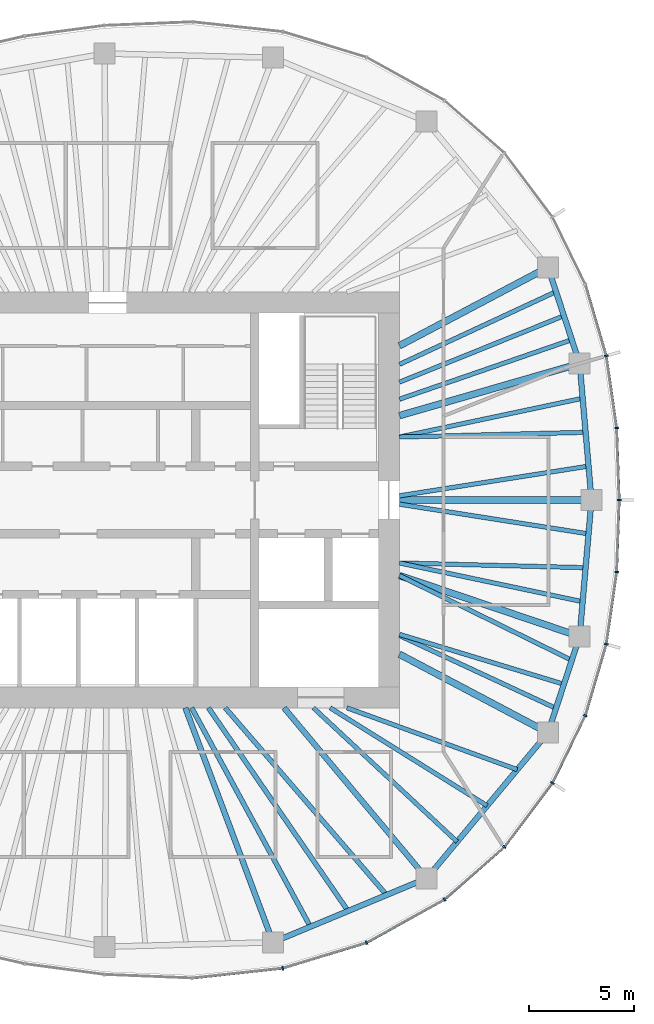
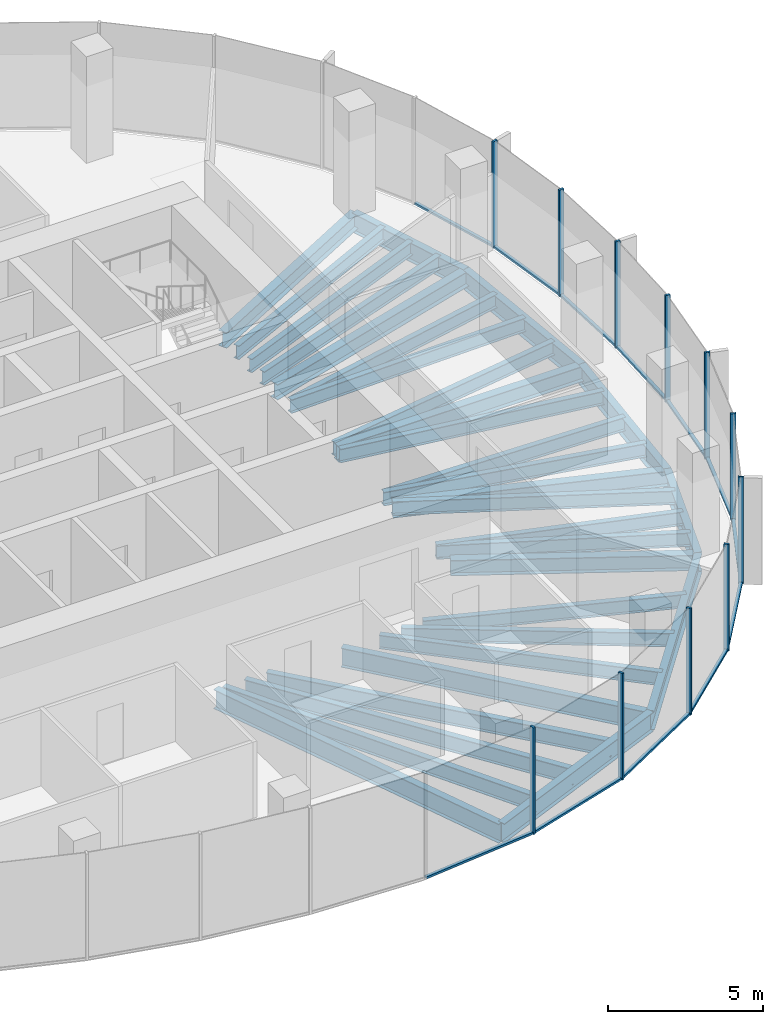
# One storey, part 4 of 11: 31 beams, 23 members, 7 elements without a shape of their own.
"""IFC4 building model written with IfcOpenShell, lengths in metres."""

from ifc_helpers import new_model, si_unit, direction, frame, origin, origin_2d, place, context, subcontext, project, spatial, rectangle, i_section, extrude, material, material_profile, profile_set, type_object, element, aggregate, save


model = new_model("IFC4")

# Units and contexts
model_context = context("Model", 3, precision=1e-05, world=origin(), true_north=direction((0.0, 1.0)))
body_context = subcontext(model_context, "Body", "Model", "MODEL_VIEW")
ifc_project = project(units=[si_unit("LENGTHUNIT", "METRE"), si_unit("AREAUNIT", "SQUARE_METRE"), si_unit("VOLUMEUNIT", "CUBIC_METRE"), si_unit("PLANEANGLEUNIT", "RADIAN"), si_unit("MASSUNIT", "GRAM", prefix="KILO")], contexts=[model_context])

# Site, building, storey
site_placement = place(None, origin())
site = spatial("IfcSite", under=ifc_project, at=site_placement, CompositionType="ELEMENT")
building_placement = place(site_placement, origin())
building = spatial("IfcBuilding", under=site, at=building_placement, Name="Ghaith Harvest Tower", CompositionType="ELEMENT")
storey_placement = place(building_placement, frame((0.0, 0.0, 325.800048828125)))
storey = spatial("IfcBuildingStorey", under=building, at=storey_placement, Name="L73", CompositionType="ELEMENT", Elevation=325.800048828125)

# Curtain wall, members
ifc_material_1 = material(Name="Black anodised aluminium and fritted glass", Category="aluminium")
curtain_wall_type = type_object("IfcCurtainWallType", Name="CW-T CURTAIN WALL", PredefinedType="NOTDEFINED", material=ifc_material_1)
curtain_wall_1_placement = place(storey_placement, origin())
curtain_wall_1 = element("IfcCurtainWall", 1, at=curtain_wall_1_placement, inside=storey, type_object=curtain_wall_type, Name="Curtain wall CW-T bay 01 L73", PredefinedType="NOTDEFINED")
ifc_material_2 = material(Name="Aluminium, black anodised", Category="aluminium")
ifc_material_profile_1 = material_profile(ifc_material_2, rectangle(XDim=0.080078125, YDim=0.179931640625, at=origin_2d()), Name="CW-T MULLION 80x180")
ifc_profile_set_1 = profile_set([ifc_material_profile_1], Name="Aluminium, black anodised")
member_type_1 = type_object("IfcMemberType", Name="CW-T MULLION 80x180", PredefinedType="MULLION", material=ifc_profile_set_1)
member_1_placement = place(storey_placement, frame((24.3701171875, 0.0, 0.0), z_axis=(0.0, 0.0, 1.0), x_axis=(5.2e-11, 1.0, 0.0)))
member_1 = element("IfcMember", 2, at=member_1_placement, type_object=member_type_1, Name="CW-T mullion 1 bay 01 L73", PredefinedType="MULLION", context=body_context, shape_type="SweptSolid", body=[
    extrude(rectangle(XDim=0.080078125, YDim=0.179931640625, at=origin_2d()), origin(), (0.0, 0.0, 1.0), 4.199951171875),
])
member_2_placement = place(storey_placement, frame((24.247802734375, 3.433837890625, 0.0), z_axis=(0.0, 0.0, 1.0), x_axis=(-0.089502202236, 0.995986624305, 0.0)))
member_2 = element("IfcMember", 3, at=member_2_placement, type_object=member_type_1, Name="CW-T mullion 2 bay 01 L73", PredefinedType="MULLION", context=body_context, shape_type="SweptSolid", body=[
    extrude(rectangle(XDim=0.080078125, YDim=0.179931640625, at=origin_2d()), origin(), (0.0, 0.0, 1.0), 4.199951171875),
])

# Curtain wall, member
curtain_wall_2_placement = place(storey_placement, origin())
curtain_wall_2 = element("IfcCurtainWall", 4, at=curtain_wall_2_placement, inside=storey, type_object=curtain_wall_type, Name="Curtain wall CW-T bay 02 L73", PredefinedType="NOTDEFINED")
member_3_placement = place(storey_placement, frame((23.753173828125, 6.865234375, 0.0), z_axis=(0.0, 0.0, 1.0), x_axis=(-0.21340203233, 0.976964468442, 0.0)))
member_3 = element("IfcMember", 5, at=member_3_placement, type_object=member_type_1, Name="CW-T mullion 1 bay 02 L73", PredefinedType="MULLION", context=body_context, shape_type="SweptSolid", body=[
    extrude(rectangle(XDim=0.080078125, YDim=0.179931640625, at=origin_2d()), origin(), (0.0, 0.0, 1.0), 4.199951171875),
])

# Curtain wall, members
curtain_wall_3_placement = place(storey_placement, origin())
curtain_wall_3 = element("IfcCurtainWall", 6, at=curtain_wall_3_placement, inside=storey, type_object=curtain_wall_type, Name="Curtain wall CW-T bay 17 L73", PredefinedType="NOTDEFINED")
member_4_placement = place(storey_placement, frame((8.33984375, -22.308837890625, 0.0), z_axis=(0.0, 0.0, 1.0), x_axis=(0.980000193265, 0.198996535647, 0.0)))
member_4 = element("IfcMember", 7, at=member_4_placement, type_object=member_type_1, Name="CW-T mullion 1 bay 17 L73", PredefinedType="MULLION", context=body_context, shape_type="SweptSolid", body=[
    extrude(rectangle(XDim=0.080078125, YDim=0.179931640625, at=origin_2d()), origin(), (0.0, 0.0, 1.0), 4.199951171875),
])
member_5_placement = place(storey_placement, frame((12.334228515625, -21.091796875, 0.0), z_axis=(0.0, 0.0, 1.0), x_axis=(0.920319269335, 0.391168048914, 0.0)))
member_5 = element("IfcMember", 8, at=member_5_placement, type_object=member_type_1, Name="CW-T mullion 2 bay 17 L73", PredefinedType="MULLION", context=body_context, shape_type="SweptSolid", body=[
    extrude(rectangle(XDim=0.080078125, YDim=0.179931640625, at=origin_2d()), origin(), (0.0, 0.0, 1.0), 4.199951171875),
])

curtain_wall_4_placement = place(storey_placement, origin())
curtain_wall_4 = element("IfcCurtainWall", 9, at=curtain_wall_4_placement, inside=storey, type_object=curtain_wall_type, Name="Curtain wall CW-T bay 18 L73", PredefinedType="NOTDEFINED")
member_6_placement = place(storey_placement, frame((16.04931640625, -19.031982421875, 0.0), z_axis=(0.0, 0.0, 1.0), x_axis=(0.821112053644, 0.570767023715, 0.0)))
member_6 = element("IfcMember", 10, at=member_6_placement, type_object=member_type_1, Name="CW-T mullion 1 bay 18 L73", PredefinedType="MULLION", context=body_context, shape_type="SweptSolid", body=[
    extrude(rectangle(XDim=0.080078125, YDim=0.179931640625, at=origin_2d()), origin(), (0.0, 0.0, 1.0), 4.199951171875),
])
member_7_placement = place(storey_placement, frame((18.901123046875, -16.527099609375, 0.0), z_axis=(0.0, 0.0, 1.0), x_axis=(0.679660897254, 0.733526458108, 0.0)))
member_7 = element("IfcMember", 11, at=member_7_placement, type_object=member_type_1, Name="CW-T mullion 2 bay 18 L73", PredefinedType="MULLION", context=body_context, shape_type="SweptSolid", body=[
    extrude(rectangle(XDim=0.080078125, YDim=0.179931640625, at=origin_2d()), origin(), (0.0, 0.0, 1.0), 4.199951171875),
])

curtain_wall_5_placement = place(storey_placement, origin())
curtain_wall_5 = element("IfcCurtainWall", 12, at=curtain_wall_5_placement, inside=storey, type_object=curtain_wall_type, Name="Curtain wall CW-T bay 19 L73", PredefinedType="NOTDEFINED")
member_8_placement = place(storey_placement, frame((21.18896484375, -13.48486328125, 0.0), z_axis=(0.0, 0.0, 1.0), x_axis=(0.524482238715, 0.85142138878, 0.0)))
member_8 = element("IfcMember", 13, at=member_8_placement, type_object=member_type_1, Name="CW-T mullion 1 bay 19 L73", PredefinedType="MULLION", context=body_context, shape_type="SweptSolid", body=[
    extrude(rectangle(XDim=0.080078125, YDim=0.179931640625, at=origin_2d()), origin(), (0.0, 0.0, 1.0), 4.199951171875),
])
member_9_placement = place(storey_placement, frame((22.754150390625, -10.272216796875, 0.0), z_axis=(0.0, 0.0, 1.0), x_axis=(0.361184273904, 0.932494461262, 0.0)))
member_9 = element("IfcMember", 14, at=member_9_placement, type_object=member_type_1, Name="CW-T mullion 2 bay 19 L73", PredefinedType="MULLION", context=body_context, shape_type="SweptSolid", body=[
    extrude(rectangle(XDim=0.080078125, YDim=0.179931640625, at=origin_2d()), origin(), (0.0, 0.0, 1.0), 4.199951171875),
])

curtain_wall_6_placement = place(storey_placement, origin())
curtain_wall_6 = element("IfcCurtainWall", 15, at=curtain_wall_6_placement, inside=storey, type_object=curtain_wall_type, Name="Curtain wall CW-T bay 20 L73", PredefinedType="NOTDEFINED")
member_10_placement = place(storey_placement, frame((23.753173828125, -6.865234375, 0.0), z_axis=(0.0, 0.0, 1.0), x_axis=(0.213402032501, 0.976964468404, 0.0)))
member_10 = element("IfcMember", 16, at=member_10_placement, type_object=member_type_1, Name="CW-T mullion 1 bay 20 L73", PredefinedType="MULLION", context=body_context, shape_type="SweptSolid", body=[
    extrude(rectangle(XDim=0.080078125, YDim=0.179931640625, at=origin_2d()), origin(), (0.0, 0.0, 1.0), 4.199951171875),
])
member_11_placement = place(storey_placement, frame((24.247802734375, -3.433837890625, 0.0), z_axis=(0.0, 0.0, 1.0), x_axis=(0.089502202305, 0.995986624299, 0.0)))
member_11 = element("IfcMember", 17, at=member_11_placement, type_object=member_type_1, Name="CW-T mullion 2 bay 20 L73", PredefinedType="MULLION", context=body_context, shape_type="SweptSolid", body=[
    extrude(rectangle(XDim=0.080078125, YDim=0.179931640625, at=origin_2d()), origin(), (0.0, 0.0, 1.0), 4.199951171875),
])

# Member
ifc_material_3 = material(Name="Aluminium, black anodised", Category="aluminium")
ifc_material_profile_2 = material_profile(ifc_material_3, rectangle(XDim=0.1201171875, YDim=0.080078125, at=origin_2d()), Name="CW-T TRANSOM 120x80")
ifc_profile_set_2 = profile_set([ifc_material_profile_2], Name="Aluminium, black anodised")
member_type_2 = type_object("IfcMemberType", Name="CW-T TRANSOM 120x80", PredefinedType="USERDEFINED", material=ifc_profile_set_2)
member_12_placement = place(storey_placement, frame((24.36865234375, 0.0400390625, 0.0400390625), z_axis=(-0.035574759537, 0.999367017909, 0.0), x_axis=(-0.999367017909, -0.035574759537, 0.0)))
member_12 = element("IfcMember", 18, at=member_12_placement, type_object=member_type_2, Name="CW-T transom 1 bay 01 L73", ObjectType="TRANSOM", PredefinedType="USERDEFINED", context=body_context, shape_type="SweptSolid", body=[
    extrude(rectangle(XDim=0.1201171875, YDim=0.080078125, at=origin_2d()), origin(), (0.0, 0.0, 1.0), 3.35595703125),
])

member_13_placement = place(storey_placement, frame((24.2421875, 3.473388671875, 0.0400390625), z_axis=(-0.142733224301, 0.989761196795, 0.0), x_axis=(-0.989761196795, -0.142733224301, 0.0)))
member_13 = element("IfcMember", 19, at=member_13_placement, type_object=member_type_2, Name="CW-T transom 2 bay 01 L73", ObjectType="TRANSOM", PredefinedType="USERDEFINED", context=body_context, shape_type="SweptSolid", body=[
    extrude(rectangle(XDim=0.1201171875, YDim=0.080078125, at=origin_2d()), origin(), (0.0, 0.0, 1.0), 3.38671875),
])

aggregate(curtain_wall_1, [member_1, member_12, member_2, member_13])

member_14_placement = place(storey_placement, frame((23.741943359375, 6.903564453125, 0.0400390625), z_axis=(-0.281385475469, 0.95959481772, 0.0), x_axis=(-0.95959481772, -0.281385475469, 0.0)))
member_14 = element("IfcMember", 20, at=member_14_placement, type_object=member_type_2, Name="CW-T transom 1 bay 02 L73", ObjectType="TRANSOM", PredefinedType="USERDEFINED", context=body_context, shape_type="SweptSolid", body=[
    extrude(rectangle(XDim=0.1201171875, YDim=0.080078125, at=origin_2d()), origin(), (0.0, 0.0, 1.0), 3.470458984375),
])

aggregate(curtain_wall_2, [member_3, member_14])

# Curtain wall, member
curtain_wall_7_placement = place(storey_placement, origin())
curtain_wall_7 = element("IfcCurtainWall", 21, at=curtain_wall_7_placement, inside=storey, type_object=curtain_wall_type, Name="Curtain wall CW-T bay 16 L73", PredefinedType="NOTDEFINED")
member_15_placement = place(storey_placement, frame((4.077392578125, -22.772216796875, 0.0400390625), z_axis=(0.994144463069, 0.108059180768, 0.0), x_axis=(-0.108059180768, 0.994144463069, 0.0)))
member_15 = element("IfcMember", 22, at=member_15_placement, type_object=member_type_2, Name="CW-T transom 2 bay 16 L73", ObjectType="TRANSOM", PredefinedType="USERDEFINED", context=body_context, shape_type="SweptSolid", body=[
    extrude(rectangle(XDim=0.1201171875, YDim=0.080078125, at=origin_2d()), origin(), (0.0, 0.0, 1.0), 4.24755859375),
])
aggregate(curtain_wall_7, [member_15])

# Member
member_16_placement = place(storey_placement, frame((8.378173828125, -22.297119140625, 0.0400390625), z_axis=(0.956593713342, 0.291424891858, 0.0), x_axis=(-0.291424891858, 0.956593713342, 0.0)))
member_16 = element("IfcMember", 23, at=member_16_placement, type_object=member_type_2, Name="CW-T transom 1 bay 17 L73", ObjectType="TRANSOM", PredefinedType="USERDEFINED", context=body_context, shape_type="SweptSolid", body=[
    extrude(rectangle(XDim=0.1201171875, YDim=0.080078125, at=origin_2d()), origin(), (0.0, 0.0, 1.0), 4.095703125),
])

member_17_placement = place(storey_placement, frame((12.369384765625, -21.072509765625, 0.0400390625), z_axis=(0.874552130553, 0.484931511603, 0.0), x_axis=(-0.484931511603, 0.874552130553, 0.0)))
member_17 = element("IfcMember", 24, at=member_17_placement, type_object=member_type_2, Name="CW-T transom 2 bay 17 L73", ObjectType="TRANSOM", PredefinedType="USERDEFINED", context=body_context, shape_type="SweptSolid", body=[
    extrude(rectangle(XDim=0.1201171875, YDim=0.080078125, at=origin_2d()), origin(), (0.0, 0.0, 1.0), 4.16748046875),
])

aggregate(curtain_wall_3, [member_4, member_16, member_5, member_17])

member_18_placement = place(storey_placement, frame((16.079345703125, -19.005615234375, 0.0400390625), z_axis=(0.751325799984, 0.659931467865, 0.0), x_axis=(-0.659931467865, 0.751325799984, 0.0)))
member_18 = element("IfcMember", 25, at=member_18_placement, type_object=member_type_2, Name="CW-T transom 1 bay 18 L73", ObjectType="TRANSOM", PredefinedType="USERDEFINED", context=body_context, shape_type="SweptSolid", body=[
    extrude(rectangle(XDim=0.1201171875, YDim=0.080078125, at=origin_2d()), origin(), (0.0, 0.0, 1.0), 3.7158203125),
])

member_19_placement = place(storey_placement, frame((18.925048828125, -16.4951171875, 0.0400390625), z_axis=(0.601079103045, 0.799189534392, 0.0), x_axis=(-0.799189534392, 0.601079103045, 0.0)))
member_19 = element("IfcMember", 26, at=member_19_placement, type_object=member_type_2, Name="CW-T transom 2 bay 18 L73", ObjectType="TRANSOM", PredefinedType="USERDEFINED", context=body_context, shape_type="SweptSolid", body=[
    extrude(rectangle(XDim=0.1201171875, YDim=0.080078125, at=origin_2d()), origin(), (0.0, 0.0, 1.0), 3.7265625),
])

aggregate(curtain_wall_4, [member_6, member_18, member_7, member_19])

member_20_placement = place(storey_placement, frame((21.20654296875, -13.448974609375, 0.0400390625), z_axis=(0.437965078712, 0.898991985408, 0.0), x_axis=(-0.898991985408, 0.437965078712, 0.0)))
member_20 = element("IfcMember", 27, at=member_20_placement, type_object=member_type_2, Name="CW-T transom 1 bay 19 L73", ObjectType="TRANSOM", PredefinedType="USERDEFINED", context=body_context, shape_type="SweptSolid", body=[
    extrude(rectangle(XDim=0.1201171875, YDim=0.080078125, at=origin_2d()), origin(), (0.0, 0.0, 1.0), 3.493408203125),
])

member_21_placement = place(storey_placement, frame((22.765380859375, -10.23388671875, 0.0400390625), z_axis=(0.281385475469, 0.95959481772, 0.0), x_axis=(-0.95959481772, 0.281385475469, 0.0)))
member_21 = element("IfcMember", 28, at=member_21_placement, type_object=member_type_2, Name="CW-T transom 2 bay 19 L73", ObjectType="TRANSOM", PredefinedType="USERDEFINED", context=body_context, shape_type="SweptSolid", body=[
    extrude(rectangle(XDim=0.1201171875, YDim=0.080078125, at=origin_2d()), origin(), (0.0, 0.0, 1.0), 3.470458984375),
])

aggregate(curtain_wall_5, [member_8, member_20, member_9, member_21])

member_22_placement = place(storey_placement, frame((23.7587890625, -6.825439453125, 0.0400390625), z_axis=(0.142733224301, 0.989761196795, 0.0), x_axis=(-0.989761196795, 0.142733224301, 0.0)))
member_22 = element("IfcMember", 29, at=member_22_placement, type_object=member_type_2, Name="CW-T transom 1 bay 20 L73", ObjectType="TRANSOM", PredefinedType="USERDEFINED", context=body_context, shape_type="SweptSolid", body=[
    extrude(rectangle(XDim=0.1201171875, YDim=0.080078125, at=origin_2d()), origin(), (0.0, 0.0, 1.0), 3.38671875),
])

member_23_placement = place(storey_placement, frame((24.249267578125, -3.393798828125, 0.0400390625), z_axis=(0.035574759537, 0.999367017909, 0.0), x_axis=(-0.999367017909, 0.035574759537, 0.0)))
member_23 = element("IfcMember", 30, at=member_23_placement, type_object=member_type_2, Name="CW-T transom 2 bay 20 L73", ObjectType="TRANSOM", PredefinedType="USERDEFINED", context=body_context, shape_type="SweptSolid", body=[
    extrude(rectangle(XDim=0.1201171875, YDim=0.080078125, at=origin_2d()), origin(), (0.0, 0.0, 1.0), 3.35595703125),
])

aggregate(curtain_wall_6, [member_10, member_22, member_11, member_23])

# Beams
ifc_material_4 = material(Name="Steel ASTM A992 Grade 50", Category="steel")
ifc_material_profile_3 = material_profile(ifc_material_4, i_section(OverallWidth=0.26611328125, OverallDepth=0.758056640625, WebThickness=0.013916015625, FlangeThickness=0.019287109375, at=origin_2d()), Name="W760X161")
ifc_profile_set_3 = profile_set([ifc_material_profile_3], Name="Steel ASTM A992 Grade 50")
beam_type_1 = type_object("IfcBeamType", Name="E760-161 W760X161", PredefinedType="SPANDREL", material=ifc_profile_set_3)
beam_1_placement = place(storey_placement, frame((23.050048828125, 0.0, -0.549072265625), z_axis=(-0.086600547306, 0.996243115513, 0.0), x_axis=(-0.996243115513, -0.086600547306, 0.0)))
element("IfcBeam", 31, at=beam_1_placement, inside=storey, type_object=beam_type_1, Name="Edge beam E01 L73", PredefinedType="SPANDREL", context=body_context, shape_type="SweptSolid", body=[
    extrude(i_section(OverallWidth=0.26611328125, OverallDepth=0.758056640625, WebThickness=0.013916015625, FlangeThickness=0.019287109375, at=origin_2d()), origin(), (0.0, 0.0, 1.0), 6.5234375),
])
beam_2_placement = place(storey_placement, frame((22.485107421875, 6.4990234375, -0.549072265625), z_axis=(-0.312206727278, 0.950014189074, 0.0), x_axis=(-0.950014189074, -0.312206727278, 0.0)))
element("IfcBeam", 32, at=beam_2_placement, inside=storey, type_object=beam_type_1, Name="Edge beam E02 L73", PredefinedType="SPANDREL", context=body_context, shape_type="SweptSolid", body=[
    extrude(i_section(OverallWidth=0.26611328125, OverallDepth=0.758056640625, WebThickness=0.013916015625, FlangeThickness=0.019287109375, at=origin_2d()), origin(), (0.0, 0.0, 1.0), 4.830322265625),
])
beam_3_placement = place(storey_placement, frame((7.8779296875, -21.072021484375, -0.549072265625), z_axis=(0.923119729219, 0.384512633766, 0.0), x_axis=(-0.384512633766, 0.923119729219, 0.0)))
element("IfcBeam", 33, at=beam_3_placement, inside=storey, type_object=beam_type_1, Name="Edge beam E17 L73", PredefinedType="SPANDREL", context=body_context, shape_type="SweptSolid", body=[
    extrude(i_section(OverallWidth=0.26611328125, OverallDepth=0.758056640625, WebThickness=0.013916015625, FlangeThickness=0.019287109375, at=origin_2d()), origin(), (0.0, 0.0, 1.0), 7.9296875),
])
beam_4_placement = place(storey_placement, frame((15.197998046875, -18.02294921875, -0.549072265625), z_axis=(0.640173759088, 0.76823014662, 0.0), x_axis=(-0.76823014662, 0.640173759088, 0.0)))
element("IfcBeam", 34, at=beam_4_placement, inside=storey, type_object=beam_type_1, Name="Edge beam E18 L73", PredefinedType="SPANDREL", context=body_context, shape_type="SweptSolid", body=[
    extrude(i_section(OverallWidth=0.26611328125, OverallDepth=0.758056640625, WebThickness=0.013916015625, FlangeThickness=0.019287109375, at=origin_2d()), origin(), (0.0, 0.0, 1.0), 9.02734375),
])
beam_5_placement = place(storey_placement, frame((20.97705078125, -11.087890625, -0.549072265625), z_axis=(0.312206727278, 0.950014189074, 0.0), x_axis=(-0.950014189074, 0.312206727278, 0.0)))
element("IfcBeam", 35, at=beam_5_placement, inside=storey, type_object=beam_type_1, Name="Edge beam E19 L73", PredefinedType="SPANDREL", context=body_context, shape_type="SweptSolid", body=[
    extrude(i_section(OverallWidth=0.26611328125, OverallDepth=0.758056640625, WebThickness=0.013916015625, FlangeThickness=0.019287109375, at=origin_2d()), origin(), (0.0, 0.0, 1.0), 4.830322265625),
])
beam_6_placement = place(storey_placement, frame((22.485107421875, -6.4990234375, -0.549072265625), z_axis=(0.086600547306, 0.996243115513, 0.0), x_axis=(-0.996243115513, 0.086600547306, 0.0)))
element("IfcBeam", 36, at=beam_6_placement, inside=storey, type_object=beam_type_1, Name="Edge beam E20 L73", PredefinedType="SPANDREL", context=body_context, shape_type="SweptSolid", body=[
    extrude(i_section(OverallWidth=0.26611328125, OverallDepth=0.758056640625, WebThickness=0.013916015625, FlangeThickness=0.019287109375, at=origin_2d()), origin(), (0.0, 0.0, 1.0), 6.5234375),
])
ifc_material_5 = material(Name="Steel ASTM A992 Grade 50", Category="steel")
ifc_material_profile_4 = material_profile(ifc_material_5, i_section(OverallWidth=0.323974609375, OverallDepth=0.611083984375, WebThickness=0.0126953125, FlangeThickness=0.01904296875, at=origin_2d()), Name="W610X155")
ifc_profile_set_4 = profile_set([ifc_material_profile_4], Name="Steel ASTM A992 Grade 50")
beam_type_2 = type_object("IfcBeamType", Name="G610-155 W610X155", PredefinedType="BEAM", material=ifc_profile_set_4)
beam_7_placement = place(storey_placement, frame((13.89990234375, 0.0, -0.4755859375), z_axis=(1.0, 0.0, 0.0), x_axis=(0.0, 1.0, 0.0)))
element("IfcBeam", 37, at=beam_7_placement, inside=storey, type_object=beam_type_2, Name="Radial girder G01 L73", PredefinedType="BEAM", context=body_context, shape_type="SweptSolid", body=[
    extrude(i_section(OverallWidth=0.323974609375, OverallDepth=0.611083984375, WebThickness=0.0126953125, FlangeThickness=0.01904296875, at=origin_2d()), origin(), (0.0, 0.0, 1.0), 9.150146484375),
])
beam_8_placement = place(storey_placement, frame((13.89990234375, 4.017333984375, -0.4755859375), z_axis=(0.960668846071, 0.27769653975, 0.0), x_axis=(-0.27769653975, 0.960668846071, 0.0)))
element("IfcBeam", 38, at=beam_8_placement, inside=storey, type_object=beam_type_2, Name="Radial girder G02 L73", PredefinedType="BEAM", context=body_context, shape_type="SweptSolid", body=[
    extrude(i_section(OverallWidth=0.323974609375, OverallDepth=0.611083984375, WebThickness=0.0126953125, FlangeThickness=0.01904296875, at=origin_2d()), origin(), (0.0, 0.0, 1.0), 8.936767578125),
])
for number, where, z_axis, x_axis, name in (
    (39, (13.89990234375, 7.34716796875, -0.4755859375), (0.884097820364, 0.467301876764, 0.0), (-0.467301876764, 0.884097820364, 0.0), "Radial girder G03 L73"),
    (40, (13.89990234375, -7.34716796875, -0.4755859375), (0.884097820364, -0.467301876764, 0.0), (0.467301876764, 0.884097820364, 0.0), "Radial girder G19 L73"),
):
    element("IfcBeam", number, at=place(storey_placement, frame(where, z_axis=z_axis, x_axis=x_axis)), inside=storey, type_object=beam_type_2, Name=name, PredefinedType="BEAM", context=body_context, shape_type="SweptSolid", body=[
        extrude(i_section(OverallWidth=0.323974609375, OverallDepth=0.611083984375, WebThickness=0.0126953125, FlangeThickness=0.01904296875, at=origin_2d()), origin(), (0.0, 0.0, 1.0), 8.0048828125),
    ])
beam_9_placement = place(storey_placement, frame((13.89990234375, -3.60009765625, -0.4755859375), z_axis=(0.947444819082, -0.319919231673, 0.0), x_axis=(0.319919231673, 0.947444819082, 0.0)))
element("IfcBeam", 41, at=beam_9_placement, inside=storey, type_object=beam_type_2, Name="Radial girder G20 L73", PredefinedType="BEAM", context=body_context, shape_type="SweptSolid", body=[
    extrude(i_section(OverallWidth=0.323974609375, OverallDepth=0.611083984375, WebThickness=0.0126953125, FlangeThickness=0.01904296875, at=origin_2d()), origin(), (0.0, 0.0, 1.0), 9.0615234375),
])
ifc_material_6 = material(Name="Steel ASTM A992 Grade 50", Category="steel")
ifc_material_profile_5 = material_profile(ifc_material_6, i_section(OverallWidth=0.26611328125, OverallDepth=0.758056640625, WebThickness=0.013916015625, FlangeThickness=0.019287109375, at=origin_2d()), Name="W760X161")
ifc_profile_set_5 = profile_set([ifc_material_profile_5], Name="Steel ASTM A992 Grade 50")
beam_type_3 = type_object("IfcBeamType", Name="G760-161 W760X161", PredefinedType="BEAM", material=ifc_profile_set_5)
beam_10_placement = place(storey_placement, frame((3.700927734375, -9.89990234375, -0.549072265625), z_axis=(0.350201332531, -0.936674450753, 0.0), x_axis=(0.936674450753, 0.350201332531, 0.0)))
element("IfcBeam", 42, at=beam_10_placement, inside=storey, type_object=beam_type_3, Name="Radial girder G17 L73", PredefinedType="BEAM", context=body_context, shape_type="SweptSolid", body=[
    extrude(i_section(OverallWidth=0.26611328125, OverallDepth=0.758056640625, WebThickness=0.013916015625, FlangeThickness=0.019287109375, at=origin_2d()), origin(), (0.0, 0.0, 1.0), 11.927490234375),
])
beam_11_placement = place(storey_placement, frame((8.39990234375, -9.89990234375, -0.549072265625), z_axis=(0.641792628883, -0.766878231215, 0.0), x_axis=(0.766878231215, 0.641792628883, 0.0)))
element("IfcBeam", 43, at=beam_11_placement, inside=storey, type_object=beam_type_3, Name="Radial girder G18 L73", PredefinedType="BEAM", context=body_context, shape_type="SweptSolid", body=[
    extrude(i_section(OverallWidth=0.26611328125, OverallDepth=0.758056640625, WebThickness=0.013916015625, FlangeThickness=0.019287109375, at=origin_2d()), origin(), (0.0, 0.0, 1.0), 10.59228515625),
])
ifc_material_7 = material(Name="Steel ASTM A992 Grade 50", Category="steel")
ifc_material_profile_6 = material_profile(ifc_material_7, i_section(OverallWidth=0.2109375, OverallDepth=0.5390625, WebThickness=0.01171875, FlangeThickness=0.018798828125, at=origin_2d()), Name="W530X109")
ifc_profile_set_6 = profile_set([ifc_material_profile_6], Name="Steel ASTM A992 Grade 50")
beam_type_4 = type_object("IfcBeamType", Name="J530-109 W530X109", PredefinedType="JOIST", material=ifc_profile_set_6)
beam_12_placement = place(storey_placement, frame((13.89990234375, 0.199951171875, -0.439453125), z_axis=(0.987906665526, 0.155049734628, 0.0), x_axis=(-0.155049734628, 0.987906665526, 0.0)))
element("IfcBeam", 44, at=beam_12_placement, inside=storey, type_object=beam_type_4, Name="Joist J01.1 L73", PredefinedType="JOIST", context=body_context, shape_type="SweptSolid", body=[
    extrude(i_section(OverallWidth=0.2109375, OverallDepth=0.5390625, WebThickness=0.01171875, FlangeThickness=0.018798828125, at=origin_2d()), origin(), (0.0, 0.0, 1.0), 9.1201171875),
])
beam_13_placement = place(storey_placement, frame((13.89990234375, 3.0, -0.439453125), z_axis=(0.999679533859, 0.025314612071, 0.0), x_axis=(-0.025314612071, 0.999679533859, 0.0)))
element("IfcBeam", 45, at=beam_13_placement, inside=storey, type_object=beam_type_4, Name="Joist J01.2 L73", PredefinedType="JOIST", context=body_context, shape_type="SweptSolid", body=[
    extrude(i_section(OverallWidth=0.2109375, OverallDepth=0.5390625, WebThickness=0.01171875, FlangeThickness=0.018798828125, at=origin_2d()), origin(), (0.0, 0.0, 1.0), 8.872802734375),
])
beam_14_placement = place(storey_placement, frame((13.89990234375, 3.0, -0.439453125), z_axis=(0.97833382446, 0.207033639579, 0.0), x_axis=(-0.207033639579, 0.97833382446, 0.0)))
element("IfcBeam", 46, at=beam_14_placement, inside=storey, type_object=beam_type_4, Name="Joist J01.3 L73", PredefinedType="JOIST", context=body_context, shape_type="SweptSolid", body=[
    extrude(i_section(OverallWidth=0.2109375, OverallDepth=0.5390625, WebThickness=0.01171875, FlangeThickness=0.018798828125, at=origin_2d()), origin(), (0.0, 0.0, 1.0), 8.922119140625),
])
beam_15_placement = place(storey_placement, frame((13.89990234375, 4.801025390625, -0.439453125), z_axis=(0.945204712775, 0.326478254937, 0.0), x_axis=(-0.326478254937, 0.945204712775, 0.0)))
element("IfcBeam", 47, at=beam_15_placement, inside=storey, type_object=beam_type_4, Name="Joist J02.1 L73", PredefinedType="JOIST", context=body_context, shape_type="SweptSolid", body=[
    extrude(i_section(OverallWidth=0.2109375, OverallDepth=0.5390625, WebThickness=0.01171875, FlangeThickness=0.018798828125, at=origin_2d()), origin(), (0.0, 0.0, 1.0), 8.687255859375),
])
beam_16_placement = place(storey_placement, frame((13.89990234375, 5.61328125, -0.439453125), z_axis=(0.927254375113, 0.374432001615, 0.0), x_axis=(-0.374432001615, 0.927254375113, 0.0)))
element("IfcBeam", 48, at=beam_16_placement, inside=storey, type_object=beam_type_4, Name="Joist J02.2 L73", PredefinedType="JOIST", context=body_context, shape_type="SweptSolid", body=[
    extrude(i_section(OverallWidth=0.2109375, OverallDepth=0.5390625, WebThickness=0.01171875, FlangeThickness=0.018798828125, at=origin_2d()), origin(), (0.0, 0.0, 1.0), 8.450927734375),
])
beam_17_placement = place(storey_placement, frame((13.89990234375, 6.45947265625, -0.439453125), z_axis=(0.906859906661, 0.42143221245, 0.0), x_axis=(-0.42143221245, 0.906859906661, 0.0)))
element("IfcBeam", 49, at=beam_17_placement, inside=storey, type_object=beam_type_4, Name="Joist J02.3 L73", PredefinedType="JOIST", context=body_context, shape_type="SweptSolid", body=[
    extrude(i_section(OverallWidth=0.2109375, OverallDepth=0.5390625, WebThickness=0.01171875, FlangeThickness=0.018798828125, at=origin_2d()), origin(), (0.0, 0.0, 1.0), 8.22509765625),
])
beam_18_placement = place(storey_placement, frame((9.800048828125, -9.89990234375, -0.439453125), z_axis=(0.73164904944, -0.681681500742, 0.0), x_axis=(0.681681500742, 0.73164904944, 0.0)))
element("IfcBeam", 50, at=beam_18_placement, inside=storey, type_object=beam_type_4, Name="Joist J18.1 L73", PredefinedType="JOIST", context=body_context, shape_type="SweptSolid", body=[
    extrude(i_section(OverallWidth=0.2109375, OverallDepth=0.5390625, WebThickness=0.01171875, FlangeThickness=0.018798828125, at=origin_2d()), origin(), (0.0, 0.0, 1.0), 9.361572265625),
])
beam_19_placement = place(storey_placement, frame((10.60009765625, -9.89990234375, -0.439453125), z_axis=(0.84837619421, -0.52939383553, 0.0), x_axis=(0.52939383553, 0.84837619421, 0.0)))
element("IfcBeam", 51, at=beam_19_placement, inside=storey, type_object=beam_type_4, Name="Joist J18.2 L73", PredefinedType="JOIST", context=body_context, shape_type="SweptSolid", body=[
    extrude(i_section(OverallWidth=0.2109375, OverallDepth=0.5390625, WebThickness=0.01171875, FlangeThickness=0.018798828125, at=origin_2d()), origin(), (0.0, 0.0, 1.0), 8.814697265625),
])
beam_20_placement = place(storey_placement, frame((11.39990234375, -9.89990234375, -0.439453125), z_axis=(0.939925501564, -0.341379629605, 0.0), x_axis=(0.341379629605, 0.939925501564, 0.0)))
element("IfcBeam", 52, at=beam_20_placement, inside=storey, type_object=beam_type_4, Name="Joist J18.3 L73", PredefinedType="JOIST", context=body_context, shape_type="SweptSolid", body=[
    extrude(i_section(OverallWidth=0.2109375, OverallDepth=0.5390625, WebThickness=0.01171875, FlangeThickness=0.018798828125, at=origin_2d()), origin(), (0.0, 0.0, 1.0), 8.630615234375),
])
beam_21_placement = place(storey_placement, frame((13.89990234375, -6.45947265625, -0.439453125), z_axis=(0.906859906661, -0.42143221245, 0.0), x_axis=(0.42143221245, 0.906859906661, 0.0)))
element("IfcBeam", 53, at=beam_21_placement, inside=storey, type_object=beam_type_4, Name="Joist J19.1 L73", PredefinedType="JOIST", context=body_context, shape_type="SweptSolid", body=[
    extrude(i_section(OverallWidth=0.2109375, OverallDepth=0.5390625, WebThickness=0.01171875, FlangeThickness=0.018798828125, at=origin_2d()), origin(), (0.0, 0.0, 1.0), 8.22509765625),
])
beam_22_placement = place(storey_placement, frame((13.89990234375, -6.39990234375, -0.439453125), z_axis=(0.9569197823, -0.290352424208, 0.0), x_axis=(0.290352424208, 0.9569197823, 0.0)))
element("IfcBeam", 54, at=beam_22_placement, inside=storey, type_object=beam_type_4, Name="Joist J19.2 L73", PredefinedType="JOIST", context=body_context, shape_type="SweptSolid", body=[
    extrude(i_section(OverallWidth=0.2109375, OverallDepth=0.5390625, WebThickness=0.01171875, FlangeThickness=0.018798828125, at=origin_2d()), origin(), (0.0, 0.0, 1.0), 8.18896484375),
])
beam_23_placement = place(storey_placement, frame((13.89990234375, -3.60009765625, -0.439453125), z_axis=(0.89740088778, -0.441216099674, 0.0), x_axis=(0.441216099674, 0.89740088778, 0.0)))
element("IfcBeam", 55, at=beam_23_placement, inside=storey, type_object=beam_type_4, Name="Joist J19.3 L73", PredefinedType="JOIST", context=body_context, shape_type="SweptSolid", body=[
    extrude(i_section(OverallWidth=0.2109375, OverallDepth=0.5390625, WebThickness=0.01171875, FlangeThickness=0.018798828125, at=origin_2d()), origin(), (0.0, 0.0, 1.0), 9.14990234375),
])
beam_24_placement = place(storey_placement, frame((13.89990234375, -3.0, -0.439453125), z_axis=(0.97833382446, -0.207033639579, 0.0), x_axis=(0.207033639579, 0.97833382446, 0.0)))
element("IfcBeam", 56, at=beam_24_placement, inside=storey, type_object=beam_type_4, Name="Joist J20.1 L73", PredefinedType="JOIST", context=body_context, shape_type="SweptSolid", body=[
    extrude(i_section(OverallWidth=0.2109375, OverallDepth=0.5390625, WebThickness=0.01171875, FlangeThickness=0.018798828125, at=origin_2d()), origin(), (0.0, 0.0, 1.0), 8.922119140625),
])
beam_25_placement = place(storey_placement, frame((13.89990234375, -3.0, -0.439453125), z_axis=(0.999679533859, -0.025314612071, 0.0), x_axis=(0.025314612071, 0.999679533859, 0.0)))
element("IfcBeam", 57, at=beam_25_placement, inside=storey, type_object=beam_type_4, Name="Joist J20.2 L73", PredefinedType="JOIST", context=body_context, shape_type="SweptSolid", body=[
    extrude(i_section(OverallWidth=0.2109375, OverallDepth=0.5390625, WebThickness=0.01171875, FlangeThickness=0.018798828125, at=origin_2d()), origin(), (0.0, 0.0, 1.0), 8.872802734375),
])
beam_26_placement = place(storey_placement, frame((13.89990234375, -0.199951171875, -0.439453125), z_axis=(0.987906665526, -0.155049734628, 0.0), x_axis=(0.155049734628, 0.987906665526, 0.0)))
element("IfcBeam", 58, at=beam_26_placement, inside=storey, type_object=beam_type_4, Name="Joist J20.3 L73", PredefinedType="JOIST", context=body_context, shape_type="SweptSolid", body=[
    extrude(i_section(OverallWidth=0.2109375, OverallDepth=0.5390625, WebThickness=0.01171875, FlangeThickness=0.018798828125, at=origin_2d()), origin(), (0.0, 0.0, 1.0), 9.1201171875),
])
ifc_material_8 = material(Name="Steel ASTM A992 Grade 50", Category="steel")
ifc_material_profile_7 = material_profile(ifc_material_8, i_section(OverallWidth=0.22998046875, OverallDepth=0.616943359375, WebThickness=0.01318359375, FlangeThickness=0.022216796875, at=origin_2d()), Name="W610X140")
ifc_profile_set_7 = profile_set([ifc_material_profile_7], Name="Steel ASTM A992 Grade 50")
beam_type_5 = type_object("IfcBeamType", Name="J610-140 W610X140", PredefinedType="JOIST", material=ifc_profile_set_7)
beam_27_placement = place(storey_placement, frame((4.0, -9.89990234375, -0.478515625), z_axis=(0.476764926531, -0.879030832696, 0.0), x_axis=(0.879030832696, 0.476764926531, 0.0)))
element("IfcBeam", 59, at=beam_27_placement, inside=storey, type_object=beam_type_5, Name="Joist J17.1 L73", PredefinedType="JOIST", context=body_context, shape_type="SweptSolid", body=[
    extrude(i_section(OverallWidth=0.22998046875, OverallDepth=0.616943359375, WebThickness=0.01318359375, FlangeThickness=0.022216796875, at=origin_2d()), origin(), (0.0, 0.0, 1.0), 11.866455078125),
])
beam_28_placement = place(storey_placement, frame((4.800048828125, -9.89990234375, -0.478515625), z_axis=(0.566228035119, -0.824248634967, 0.0), x_axis=(0.824248634967, 0.566228035119, 0.0)))
element("IfcBeam", 60, at=beam_28_placement, inside=storey, type_object=beam_type_5, Name="Joist J17.2 L73", PredefinedType="JOIST", context=body_context, shape_type="SweptSolid", body=[
    extrude(i_section(OverallWidth=0.22998046875, OverallDepth=0.616943359375, WebThickness=0.01318359375, FlangeThickness=0.022216796875, at=origin_2d()), origin(), (0.0, 0.0, 1.0), 11.748046875),
])
beam_29_placement = place(storey_placement, frame((5.60009765625, -9.89990234375, -0.478515625), z_axis=(0.652992938501, -0.757363995888, 0.0), x_axis=(0.757363995888, 0.652992938501, 0.0)))
element("IfcBeam", 61, at=beam_29_placement, inside=storey, type_object=beam_type_5, Name="Joist J17.3 L73", PredefinedType="JOIST", context=body_context, shape_type="SweptSolid", body=[
    extrude(i_section(OverallWidth=0.22998046875, OverallDepth=0.616943359375, WebThickness=0.01318359375, FlangeThickness=0.022216796875, at=origin_2d()), origin(), (0.0, 0.0, 1.0), 11.775390625),
])

save(model, "model.ifc")
